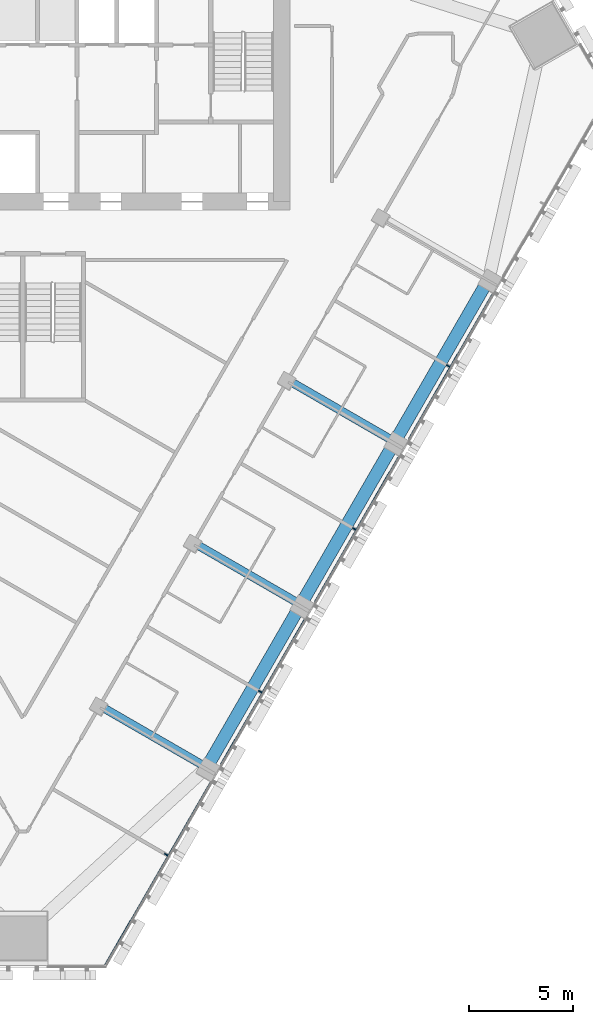
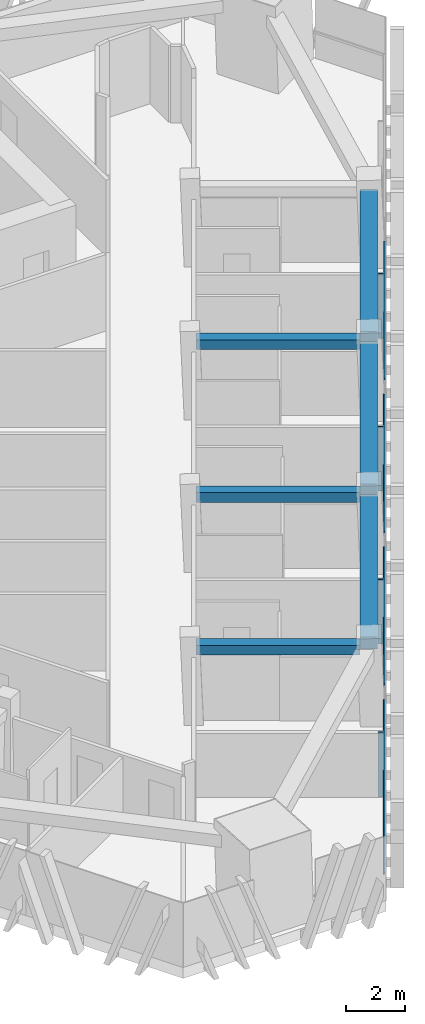
# One storey, part 4 of 16: 8 members, 6 beams, 1 element without a shape of its own.
"""IFC4 building model written with IfcOpenShell, lengths in metres."""

from ifc_helpers import new_model, si_unit, direction, frame, origin, origin_2d, place, context, subcontext, project, spatial, rectangle, extrude, material, layer, layer_set, material_profile, profile_set, type_object, element, aggregate, save


model = new_model("IFC4")

# Units and contexts
model_context = context("Model", 3, precision=1e-05, world=origin(), true_north=direction((0.0, 1.0)))
body_context = subcontext(model_context, "Body", "Model", "MODEL_VIEW")
ifc_project = project(units=[si_unit("LENGTHUNIT", "METRE"), si_unit("AREAUNIT", "SQUARE_METRE"), si_unit("VOLUMEUNIT", "CUBIC_METRE"), si_unit("PLANEANGLEUNIT", "RADIAN"), si_unit("MASSUNIT", "GRAM", prefix="KILO")], contexts=[model_context])

# Site, building, storey
site_placement = place(None, origin())
site = spatial("IfcSite", under=ifc_project, at=site_placement, CompositionType="ELEMENT")
building_placement = place(site_placement, origin())
building = spatial("IfcBuilding", under=site, at=building_placement, Name="Altiplano Prism Tower", CompositionType="ELEMENT")
storey_placement = place(building_placement, frame((0.0, 0.0, 124.199951171875)))
storey = spatial("IfcBuildingStorey", under=building, at=storey_placement, Name="L31", CompositionType="ELEMENT", Elevation=124.199951171875)

# Curtain wall, members
ifc_material_1 = material(Name="Aluminium and glass", Category="aluminium")
ifc_layer = layer(ifc_material_1, 0.280029296875)
ifc_layer_set = layer_set([ifc_layer], Name="Aluminium and glass")
curtain_wall_type = type_object("IfcCurtainWallType", Name="CW1 typical co-living unitised curtain wall", PredefinedType="NOTDEFINED", material=ifc_layer_set)
curtain_wall_placement = place(storey_placement, origin())
curtain_wall = element("IfcCurtainWall", 1, at=curtain_wall_placement, inside=storey, type_object=curtain_wall_type, Name="CW1 curtain wall south-east face L31", PredefinedType="NOTDEFINED")
ifc_material_2 = material(Name="Aluminium", Category="aluminium")
ifc_material_profile_1 = material_profile(ifc_material_2, rectangle(XDim=0.179931640625, YDim=0.06494140625, at=origin_2d()), Name="CW1 mullion 65 x 180")
ifc_profile_set_1 = profile_set([ifc_material_profile_1], Name="Aluminium")
member_type_1 = type_object("IfcMemberType", Name="CW1 mullion 65 x 180", PredefinedType="MULLION", material=ifc_profile_set_1)
member_1_placement = place(storey_placement, frame((91.8623046875, 61.747314453125, 0.0), z_axis=(0.0, 0.0, 1.0), x_axis=(-0.866025409719, 0.499999989722, 0.0)))
member_1 = element("IfcMember", 2, at=member_1_placement, type_object=member_type_1, Name="CW1 mullion", PredefinedType="MULLION", context=body_context, shape_type="SweptSolid", body=[
    extrude(rectangle(XDim=0.179931640625, YDim=0.06494140625, at=origin_2d()), origin(), (0.0, 0.0, 1.0), 2.650146484375),
])
member_2_placement = place(storey_placement, frame((96.3623046875, 69.54150390625, 0.0), z_axis=(0.0, 0.0, 1.0), x_axis=(-0.866025409719, 0.499999989722, 0.0)))
member_2 = element("IfcMember", 3, at=member_2_placement, type_object=member_type_1, Name="CW1 mullion", PredefinedType="MULLION", context=body_context, shape_type="SweptSolid", body=[
    extrude(rectangle(XDim=0.179931640625, YDim=0.06494140625, at=origin_2d()), origin(), (0.0, 0.0, 1.0), 2.650146484375),
])
member_3_placement = place(storey_placement, frame((100.8623046875, 77.335693359375, 0.0), z_axis=(0.0, 0.0, 1.0), x_axis=(-0.866025409719, 0.499999989722, 0.0)))
member_3 = element("IfcMember", 4, at=member_3_placement, type_object=member_type_1, Name="CW1 mullion", PredefinedType="MULLION", context=body_context, shape_type="SweptSolid", body=[
    extrude(rectangle(XDim=0.179931640625, YDim=0.06494140625, at=origin_2d()), origin(), (0.0, 0.0, 1.0), 2.650146484375),
])
member_4_placement = place(storey_placement, frame((105.3623046875, 85.1298828125, 0.0), z_axis=(0.0, 0.0, 1.0), x_axis=(-0.866025409719, 0.499999989722, 0.0)))
member_4 = element("IfcMember", 5, at=member_4_placement, type_object=member_type_1, Name="CW1 mullion", PredefinedType="MULLION", context=body_context, shape_type="SweptSolid", body=[
    extrude(rectangle(XDim=0.179931640625, YDim=0.06494140625, at=origin_2d()), origin(), (0.0, 0.0, 1.0), 2.650146484375),
])
ifc_material_profile_2 = material_profile(ifc_material_2, rectangle(XDim=0.06005859375, YDim=0.080078125, at=origin_2d()), Name="CW1 transom 80 x 60")
ifc_profile_set_2 = profile_set([ifc_material_profile_2], Name="Aluminium")
member_type_2 = type_object("IfcMemberType", Name="CW1 transom 80 x 60", PredefinedType="USERDEFINED", material=ifc_profile_set_2)
member_5_placement = place(storey_placement, frame((88.900390625, 56.376953125, 1.10009765625), z_axis=(0.499993018469, 0.866029434536, 0.0), x_axis=(-0.866029434536, 0.499993018469, 0.0)))
member_5 = element("IfcMember", 6, at=member_5_placement, type_object=member_type_2, Name="CW1 transom", ObjectType="TRANSOM", PredefinedType="USERDEFINED", context=body_context, shape_type="SweptSolid", body=[
    extrude(rectangle(XDim=0.06005859375, YDim=0.080078125, at=origin_2d()), origin(), (0.0, 0.0, 1.0), 10.206298828125),
])
member_6_placement = place(storey_placement, frame((94.468505859375, 66.021240234375, 1.10009765625), z_axis=(0.499994808408, 0.866028401131, 0.0), x_axis=(-0.866028401131, 0.499994808408, 0.0)))
member_6 = element("IfcMember", 7, at=member_6_placement, type_object=member_type_2, Name="CW1 transom", ObjectType="TRANSOM", PredefinedType="USERDEFINED", context=body_context, shape_type="SweptSolid", body=[
    extrude(rectangle(XDim=0.06005859375, YDim=0.080078125, at=origin_2d()), origin(), (0.0, 0.0, 1.0), 8.06982421875),
])
member_7_placement = place(storey_placement, frame((98.968505859375, 73.8154296875, 1.10009765625), z_axis=(0.499994808408, 0.866028401131, 0.0), x_axis=(-0.866028401131, 0.499994808408, 0.0)))
member_7 = element("IfcMember", 8, at=member_7_placement, type_object=member_type_2, Name="CW1 transom", ObjectType="TRANSOM", PredefinedType="USERDEFINED", context=body_context, shape_type="SweptSolid", body=[
    extrude(rectangle(XDim=0.06005859375, YDim=0.080078125, at=origin_2d()), origin(), (0.0, 0.0, 1.0), 8.06982421875),
])
member_8_placement = place(storey_placement, frame((103.468505859375, 81.60986328125, 1.10009765625), z_axis=(0.500007908628, 0.866020837688, 0.0), x_axis=(-0.866020837688, 0.500007908628, 0.0)))
member_8 = element("IfcMember", 9, at=member_8_placement, type_object=member_type_2, Name="CW1 transom", ObjectType="TRANSOM", PredefinedType="USERDEFINED", context=body_context, shape_type="SweptSolid", body=[
    extrude(rectangle(XDim=0.06005859375, YDim=0.080078125, at=origin_2d()), origin(), (0.0, 0.0, 1.0), 8.069580078125),
])
aggregate(curtain_wall, [member_1, member_5, member_2, member_6, member_3, member_7, member_4, member_8])

# Beams
ifc_material_3 = material(Name="Concrete C60/75", Category="concrete")
ifc_material_profile_3 = material_profile(ifc_material_3, rectangle(XDim=0.60009765625, YDim=0.5, at=origin_2d()), Name="Edge beam 600x500")
ifc_profile_set_3 = profile_set([ifc_material_profile_3], Name="Concrete C60/75")
beam_type_1 = type_object("IfcBeamType", Name="Edge beam 600x500", PredefinedType="SPANDREL", material=ifc_profile_set_3)
beam_placement = place(storey_placement, frame((93.959716796875, 66.177001953125, 2.900146484375), z_axis=(0.499976021395, 0.866039247396, 0.0), x_axis=(-0.866039247396, 0.499976021395, 0.0)))
element("IfcBeam", 10, at=beam_placement, inside=storey, type_object=beam_type_1, Name="Edge beam P21-P22 L32", PredefinedType="SPANDREL", context=body_context, shape_type="SweptSolid", body=[
    extrude(rectangle(XDim=0.60009765625, YDim=0.5, at=origin_2d()), origin(), (0.0, 0.0, 1.0), 8.39013671875),
])
for number, where, z_axis, x_axis, name in (
    (11, (98.459716796875, 73.971435546875, 2.900146484375), (0.499988621418, 0.866031973112, 0.0), (-0.866031973112, 0.499988621418, 0.0), "Edge beam P22-P23 L32"),
    (12, (102.959716796875, 81.765625, 2.900146484375), (0.499988621418, 0.866031973112, 0.0), (-0.866031973112, 0.499988621418, 0.0), "Edge beam P23-P24 L32"),
):
    element("IfcBeam", number, at=place(storey_placement, frame(where, z_axis=z_axis, x_axis=x_axis)), inside=storey, type_object=beam_type_1, Name=name, PredefinedType="SPANDREL", context=body_context, shape_type="SweptSolid", body=[
        extrude(rectangle(XDim=0.60009765625, YDim=0.5, at=origin_2d()), origin(), (0.0, 0.0, 1.0), 8.389892578125),
    ])
ifc_material_profile_4 = material_profile(ifc_material_3, rectangle(XDim=0.39990234375, YDim=0.39990234375, at=origin_2d()), Name="Tie beam 400x400")
ifc_profile_set_4 = profile_set([ifc_material_profile_4], Name="Concrete C60/75")
beam_type_2 = type_object("IfcBeamType", Name="Tie beam 400x400", PredefinedType="BEAM", material=ifc_profile_set_4)
for number, where, z_axis, x_axis, name in (
    (13, (88.7451171875, 68.83544921875, 2.949951171875), (0.866027073272, -0.499997108352, 0.0), (0.499997108352, 0.866027073272, 0.0), "Tie beam I21 L32"),
    (14, (93.2451171875, 76.629638671875, 2.949951171875), (0.866027073272, -0.499997108352, 0.0), (0.499997108352, 0.866027073272, 0.0), "Tie beam I22 L32"),
    (15, (97.7451171875, 84.423828125, 2.949951171875), (0.866027073272, -0.499997108352, 0.0), (0.499997108352, 0.866027073272, 0.0), "Tie beam I23 L32"),
):
    element("IfcBeam", number, at=place(storey_placement, frame(where, z_axis=z_axis, x_axis=x_axis)), inside=storey, type_object=beam_type_2, Name=name, PredefinedType="BEAM", context=body_context, shape_type="SweptSolid", body=[
        extrude(rectangle(XDim=0.39990234375, YDim=0.39990234375, at=origin_2d()), origin(), (0.0, 0.0, 1.0), 5.5400390625),
    ])

save(model, "model.ifc")
